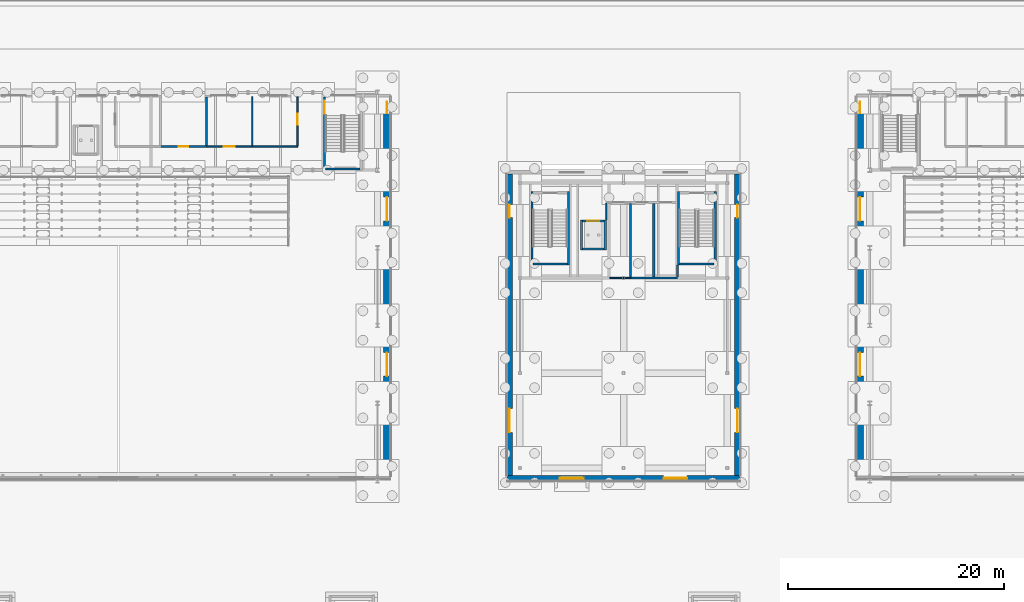
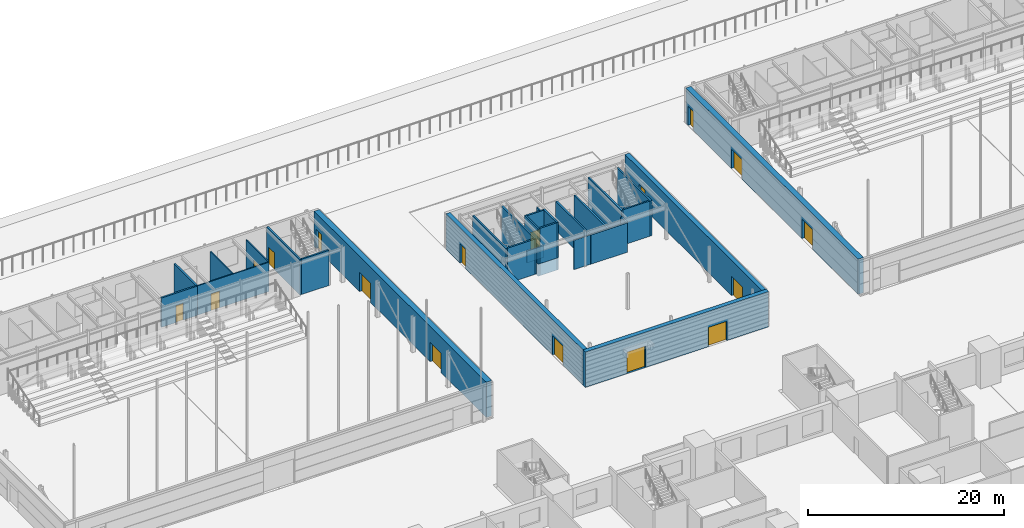
# One storey, part 86 of 139: 32 walls, 17 doors, 17 openings.
"""IFC4 building model written with IfcOpenShell, lengths in metres."""

from ifc_helpers import new_model, si_unit, direction, frame, frame_2d, origin, place, context, subcontext, project, spatial, rectangle, extrude, material, layer, layer_set, type_object, element, fill, save


model = new_model("IFC4")

# Units and contexts
model_context = context("Model", 3, precision=1e-05, world=origin(), true_north=direction((0.0, 1.0)))
body_context = subcontext(model_context, "Body", "Model", "MODEL_VIEW")
ifc_project = project(units=[si_unit("LENGTHUNIT", "METRE"), si_unit("AREAUNIT", "SQUARE_METRE"), si_unit("VOLUMEUNIT", "CUBIC_METRE"), si_unit("PLANEANGLEUNIT", "RADIAN"), si_unit("MASSUNIT", "GRAM", prefix="KILO")], contexts=[model_context])

# Site, building, storey
site_placement = place(None, origin())
site = spatial("IfcSite", under=ifc_project, at=site_placement, CompositionType="ELEMENT")
building_placement = place(site_placement, origin())
building = spatial("IfcBuilding", under=site, at=building_placement, Name="Verrick Yard Athletic Hall", CompositionType="ELEMENT")
storey_placement = place(building_placement, origin())
storey = spatial("IfcBuildingStorey", under=building, at=storey_placement, Name="L00", CompositionType="ELEMENT", Elevation=0.0)

# Walls
ifc_material_1 = material(Name="Concrete 35 MPa", Category="concrete")
ifc_layer_1 = layer(ifc_material_1, 0.199951171875)
ifc_layer_set_1 = layer_set([ifc_layer_1], Name="Enclosure wall CR200")
wall_type_1 = type_object("IfcWallType", Name="Enclosure wall CR200", PredefinedType="SOLIDWALL", material=ifc_layer_set_1)
for number, where, z_axis, x_axis, name in (
    (1, (103.89990234375, 92.0, 0.0), (0.0, 0.0, 1.0), (0.0, 1.0, 0.0), "CORE-CH-E-WW-L00"),
    (2, (107.300048828125, 92.0, 0.0), (0.0, 0.0, 1.0), (0.0, 1.0, 0.0), "CORE-CH-E-WE-L00"),
):
    element("IfcWall", number, at=place(storey_placement, frame(where, z_axis=z_axis, x_axis=x_axis)), inside=storey, type_object=wall_type_1, Name=name, PredefinedType="SOLIDWALL", context=body_context, shape_type="SweptSolid", body=[
        extrude(rectangle(XDim=6.800048828125, YDim=0.199951171875, at=frame_2d((3.39990234375, 0.0))), origin(), (0.0, 0.0, 1.0), 4.39990234375),
    ])
wall_1_placement = place(storey_placement, frame((104.0, 92.10009765625, 0.0), z_axis=(0.0, 0.0, 1.0), x_axis=(1.0, 0.0, 0.0)))
element("IfcWall", 3, at=wall_1_placement, inside=storey, type_object=wall_type_1, Name="CORE-CH-E-WS-L00", PredefinedType="SOLIDWALL", context=body_context, shape_type="SweptSolid", body=[
    extrude(rectangle(XDim=3.199951171875, YDim=0.199951171875, at=frame_2d((1.60009765625, 0.0))), origin(), (0.0, 0.0, 1.0), 4.39990234375),
])
for number, where, z_axis, x_axis, name in (
    (4, (90.300048828125, 92.0, 0.0), (0.0, 0.0, 1.0), (0.0, 1.0, 0.0), "CORE-CH-W-WW-L00"),
    (5, (93.699951171875, 92.0, 0.0), (0.0, 0.0, 1.0), (0.0, 1.0, 0.0), "CORE-CH-W-WE-L00"),
):
    element("IfcWall", number, at=place(storey_placement, frame(where, z_axis=z_axis, x_axis=x_axis)), inside=storey, type_object=wall_type_1, Name=name, PredefinedType="SOLIDWALL", context=body_context, shape_type="SweptSolid", body=[
        extrude(rectangle(XDim=6.800048828125, YDim=0.199951171875, at=frame_2d((3.39990234375, 0.0))), origin(), (0.0, 0.0, 1.0), 4.39990234375),
    ])
wall_2_placement = place(storey_placement, frame((90.39990234375, 92.10009765625, 0.0), z_axis=(0.0, 0.0, 1.0), x_axis=(1.0, 0.0, 0.0)))
element("IfcWall", 6, at=wall_2_placement, inside=storey, type_object=wall_type_1, Name="CORE-CH-W-WS-L00", PredefinedType="SOLIDWALL", context=body_context, shape_type="SweptSolid", body=[
    extrude(rectangle(XDim=3.2001953125, YDim=0.199951171875, at=frame_2d((1.60009765625, 0.0))), origin(), (0.0, 0.0, 1.0), 4.39990234375),
])

# Wall, opening, door
wall_3_placement = place(storey_placement, frame((71.10009765625, 100.800048828125, 0.0), z_axis=(0.0, 0.0, 1.0), x_axis=(0.0, 1.0, 0.0)))
wall_3 = element("IfcWall", 7, at=wall_3_placement, inside=storey, type_object=wall_type_1, Name="CORE-HB-E-WW-L00", PredefinedType="SOLIDWALL", context=body_context, shape_type="SweptSolid", body=[
    extrude(rectangle(XDim=6.782958984375, YDim=0.199951171875, at=frame_2d((3.3916015625, 0.0))), origin(), (0.0, 0.0, 1.0), 4.39990234375),
])
opening_1_placement = place(wall_3_placement, frame((5.22509765625, 0.0, 0.0)))
opening_1 = element("IfcOpeningElement", 8, at=opening_1_placement, cuts=wall_3, Name="Opening SD1", PredefinedType="OPENING", context=body_context, shape_type="SweptSolid", body=[
    extrude(rectangle(XDim=1.199951171875, YDim=2.10009765625, at=frame_2d((0.60009765625, 1.050048828125))), frame((0.0, 0.10986328125, 0.0), z_axis=(0.0, -1.0, 0.0), x_axis=(1.0, 0.0, 0.0)), (0.0, 0.0, 1.0), 0.219970703125),
])
ifc_material_2 = material(Name="Hollow metal door leaf")
door_type_1 = type_object("IfcDoorType", Name="Core door SD1 1200x2100", OperationType="NOTDEFINED", PredefinedType="DOOR", material=ifc_material_2)
door_1_placement = place(opening_1_placement, origin())
door_1 = element("IfcDoor", 9, at=door_1_placement, inside=storey, type_object=door_type_1, Name="CORE-HB-E-WW-L00-DSD1-10662", OperationType="SINGLE_SWING_RIGHT", OverallHeight=2.10009765625, OverallWidth=1.199951171875, PredefinedType="DOOR", context=body_context, shape_type="SweptSolid", body=[
    extrude(rectangle(XDim=1.199951171875, YDim=2.10009765625, at=frame_2d((0.60009765625, 1.050048828125))), frame((0.0, 0.02490234375, 0.0), z_axis=(0.0, -1.0, 0.0), x_axis=(1.0, 0.0, 0.0)), (0.0, 0.0, 1.0), 0.050048828125),
])
fill(opening_1, door_1)

# Walls
wall_4_placement = place(storey_placement, frame((71.199951171875, 100.89990234375, 0.0), z_axis=(0.0, 0.0, 1.0), x_axis=(1.0, 0.0, 0.0)))
element("IfcWall", 10, at=wall_4_placement, inside=storey, type_object=wall_type_1, Name="CORE-HB-E-WS-L00", PredefinedType="SOLIDWALL", context=body_context, shape_type="SweptSolid", body=[
    extrude(rectangle(XDim=3.199951171875, YDim=0.199951171875, at=frame_2d((1.60009765625, 0.0))), origin(), (0.0, 0.0, 1.0), 4.39990234375),
])
for number, where, z_axis, x_axis, name in (
    (11, (94.89990234375, 93.39990234375, -1.5), (0.0, 0.0, 1.0), (0.0, 1.0, 0.0), "CORE-LF-CH-PWW"),
    (12, (97.10009765625, 93.39990234375, -1.5), (0.0, 0.0, 1.0), (0.0, 1.0, 0.0), "CORE-LF-CH-PWE"),
):
    element("IfcWall", number, at=place(storey_placement, frame(where, z_axis=z_axis, x_axis=x_axis)), inside=storey, type_object=wall_type_1, Name=name, PredefinedType="SOLIDWALL", context=body_context, shape_type="SweptSolid", body=[
        extrude(rectangle(XDim=2.800048828125, YDim=0.199951171875, at=frame_2d((1.39990234375, 0.0))), origin(), (0.0, 0.0, 1.0), 1.5),
    ])
for number, where, z_axis, x_axis, name in (
    (13, (95.0, 93.5, -1.5), (0.0, 0.0, 1.0), (1.0, 0.0, 0.0), "CORE-LF-CH-PWS"),
    (14, (95.0, 96.10009765625, -1.5), (0.0, 0.0, 1.0), (1.0, 0.0, 0.0), "CORE-LF-CH-PWN"),
):
    element("IfcWall", number, at=place(storey_placement, frame(where, z_axis=z_axis, x_axis=x_axis)), inside=storey, type_object=wall_type_1, Name=name, PredefinedType="SOLIDWALL", context=body_context, shape_type="SweptSolid", body=[
        extrude(rectangle(XDim=2.0, YDim=0.199951171875, at=frame_2d((1.0, 0.0))), origin(), (0.0, 0.0, 1.0), 1.5),
    ])
for number, where, z_axis, x_axis, name in (
    (15, (94.89990234375, 93.39990234375, 0.0), (0.0, 0.0, 1.0), (0.0, 1.0, 0.0), "CORE-LF-CH-WW-L00"),
    (16, (97.10009765625, 93.39990234375, 0.0), (0.0, 0.0, 1.0), (0.0, 1.0, 0.0), "CORE-LF-CH-WE-L00"),
):
    element("IfcWall", number, at=place(storey_placement, frame(where, z_axis=z_axis, x_axis=x_axis)), inside=storey, type_object=wall_type_1, Name=name, PredefinedType="SOLIDWALL", context=body_context, shape_type="SweptSolid", body=[
        extrude(rectangle(XDim=2.800048828125, YDim=0.199951171875, at=frame_2d((1.39990234375, 0.0))), origin(), (0.0, 0.0, 1.0), 4.39990234375),
    ])
wall_5_placement = place(storey_placement, frame((95.0, 93.5, 0.0), z_axis=(0.0, 0.0, 1.0), x_axis=(1.0, 0.0, 0.0)))
element("IfcWall", 17, at=wall_5_placement, inside=storey, type_object=wall_type_1, Name="CORE-LF-CH-WS-L00", PredefinedType="SOLIDWALL", context=body_context, shape_type="SweptSolid", body=[
    extrude(rectangle(XDim=2.0, YDim=0.199951171875, at=frame_2d((1.0, 0.0))), origin(), (0.0, 0.0, 1.0), 4.39990234375),
])

# Wall, opening, door
wall_6_placement = place(storey_placement, frame((95.0, 96.10009765625, 0.0), z_axis=(0.0, 0.0, 1.0), x_axis=(1.0, 0.0, 0.0)))
wall_6 = element("IfcWall", 18, at=wall_6_placement, inside=storey, type_object=wall_type_1, Name="CORE-LF-CH-WN-L00", PredefinedType="SOLIDWALL", context=body_context, shape_type="SweptSolid", body=[
    extrude(rectangle(XDim=2.0, YDim=0.199951171875, at=frame_2d((1.0, 0.0))), origin(), (0.0, 0.0, 1.0), 4.39990234375),
])
opening_2_placement = place(wall_6_placement, frame((0.449951171875, 0.0, 0.0)))
opening_2 = element("IfcOpeningElement", 19, at=opening_2_placement, cuts=wall_6, Name="Opening LD", PredefinedType="OPENING", context=body_context, shape_type="SweptSolid", body=[
    extrude(rectangle(XDim=1.10009765625, YDim=2.10009765625, at=frame_2d((0.550048828125, 1.050048828125))), frame((0.0, 0.10986328125, 0.0), z_axis=(0.0, -1.0, 0.0), x_axis=(1.0, 0.0, 0.0)), (0.0, 0.0, 1.0), 0.219970703125),
])
ifc_material_3 = material(Name="Stainless steel landing door", Category="steel")
door_type_2 = type_object("IfcDoorType", Name="Lift landing door LD 1100x2100", OperationType="NOTDEFINED", PredefinedType="DOOR", material=ifc_material_3)
door_2_placement = place(opening_2_placement, origin())
door_2 = element("IfcDoor", 20, at=door_2_placement, inside=storey, type_object=door_type_2, Name="Lift landing door", OperationType="SLIDING_TO_LEFT", OverallHeight=2.10009765625, OverallWidth=1.10009765625, PredefinedType="DOOR", context=body_context, shape_type="SweptSolid", body=[
    extrude(rectangle(XDim=1.10009765625, YDim=2.10009765625, at=frame_2d((0.550048828125, 1.050048828125))), frame((0.0, 0.02490234375, 0.0), z_axis=(0.0, -1.0, 0.0), x_axis=(1.0, 0.0, 0.0)), (0.0, 0.0, 1.0), 0.050048828125),
])
fill(opening_2, door_2)

# Wall, openings, doors
ifc_material_4 = material(Name="Tyndall-stone-look precast cladding", Category="masonry")
ifc_layer_2 = layer(ifc_material_4, 0.125, Name="Tyndall-stone-look precast cladding")
ifc_material_5 = material(Name="Mineral wool insulation")
ifc_layer_3 = layer(ifc_material_5, 0.25, Name="Mineral wool insulation")
ifc_layer_4 = layer(ifc_material_1, 0.25, Name="Concrete 35 MPa")
ifc_layer_set_2 = layer_set([ifc_layer_2, ifc_layer_3, ifc_layer_4], Name="Hall base wall")
wall_type_2 = type_object("IfcWallType", Name="Hall base wall", PredefinedType="SOLIDWALL", material=ifc_layer_set_2)
wall_7_placement = place(storey_placement, frame((120.71240234375, 72.41845703125, 0.0), z_axis=(0.0, 0.0, 1.0), x_axis=(0.0, 1.0, 0.0)))
wall_7 = element("IfcWall", 21, at=wall_7_placement, inside=storey, type_object=wall_type_2, Name="ENVB-HA-W-L00", PredefinedType="SOLIDWALL", context=body_context, shape_type="SweptSolid", body=[
    extrude(rectangle(XDim=35.1630859375, YDim=0.625, at=frame_2d((17.58154296875, 0.0))), origin(), (0.0, 0.0, 1.0), 4.39990234375),
])
opening_3_placement = place(wall_7_placement, frame((9.282470703125, 0.0, 0.0)))
opening_3 = element("IfcOpeningElement", 22, at=opening_3_placement, cuts=wall_7, Name="Opening ED23", PredefinedType="OPENING", context=body_context, shape_type="SweptSolid", body=[
    extrude(rectangle(XDim=2.199951171875, YDim=2.39990234375, at=frame_2d((1.10009765625, 1.199951171875))), frame((0.0, 0.322509765625, 0.0), z_axis=(0.0, -1.0, 0.0), x_axis=(1.0, 0.0, 0.0)), (0.0, 0.0, 1.0), 0.64501953125),
])
opening_4_placement = place(wall_7_placement, frame((23.6826171875, 0.0, 0.0)))
opening_4 = element("IfcOpeningElement", 23, at=opening_4_placement, cuts=wall_7, Name="Opening ED23", PredefinedType="OPENING", context=body_context, shape_type="SweptSolid", body=[
    extrude(rectangle(XDim=2.199951171875, YDim=2.39990234375, at=frame_2d((1.10009765625, 1.199951171875))), frame((0.0, 0.322509765625, 0.0), z_axis=(0.0, -1.0, 0.0), x_axis=(1.0, 0.0, 0.0)), (0.0, 0.0, 1.0), 0.64501953125),
])
opening_5_placement = place(wall_7_placement, frame((33.632568359375, 0.0, 0.0)))
opening_5 = element("IfcOpeningElement", 24, at=opening_5_placement, cuts=wall_7, Name="Opening ED22", PredefinedType="OPENING", context=body_context, shape_type="SweptSolid", body=[
    extrude(rectangle(XDim=1.10009765625, YDim=2.39990234375, at=frame_2d((0.550048828125, 1.199951171875))), frame((0.0, 0.322509765625, 0.0), z_axis=(0.0, -1.0, 0.0), x_axis=(1.0, 0.0, 0.0)), (0.0, 0.0, 1.0), 0.64501953125),
])
ifc_material_6 = material(Name="Powder-coated aluminium door leaf", Category="aluminium")
door_type_3 = type_object("IfcDoorType", Name="Exterior double door 2200", OperationType="NOTDEFINED", PredefinedType="DOOR", material=ifc_material_6)
door_3_placement = place(opening_3_placement, origin())
door_3 = element("IfcDoor", 25, at=door_3_placement, inside=storey, type_object=door_type_3, Name="Hall exit door AW1", OperationType="DOUBLE_DOOR_SINGLE_SWING", OverallHeight=2.39990234375, OverallWidth=2.199951171875, PredefinedType="DOOR", context=body_context, shape_type="SweptSolid", body=[
    extrude(rectangle(XDim=2.199951171875, YDim=2.39990234375, at=frame_2d((1.10009765625, 1.199951171875))), frame((0.0, 0.02490234375, 0.0), z_axis=(0.0, -1.0, 0.0), x_axis=(1.0, 0.0, 0.0)), (0.0, 0.0, 1.0), 0.050048828125),
])
fill(opening_3, door_3)
door_4_placement = place(opening_4_placement, origin())
door_4 = element("IfcDoor", 26, at=door_4_placement, inside=storey, type_object=door_type_3, Name="Hall exit door AW2", OperationType="DOUBLE_DOOR_SINGLE_SWING", OverallHeight=2.39990234375, OverallWidth=2.199951171875, PredefinedType="DOOR", context=body_context, shape_type="SweptSolid", body=[
    extrude(rectangle(XDim=2.199951171875, YDim=2.39990234375, at=frame_2d((1.10009765625, 1.199951171875))), frame((0.0, 0.02490234375, 0.0), z_axis=(0.0, -1.0, 0.0), x_axis=(1.0, 0.0, 0.0)), (0.0, 0.0, 1.0), 0.050048828125),
])
fill(opening_4, door_4)
door_type_4 = type_object("IfcDoorType", Name="Exterior single door 1100", OperationType="NOTDEFINED", PredefinedType="DOOR", material=ifc_material_6)
door_5_placement = place(opening_5_placement, origin())
door_5 = element("IfcDoor", 27, at=door_5_placement, inside=storey, type_object=door_type_4, Name="Band stair exit door AW", OperationType="SINGLE_SWING_LEFT", OverallHeight=2.39990234375, OverallWidth=1.10009765625, PredefinedType="DOOR", context=body_context, shape_type="SweptSolid", body=[
    extrude(rectangle(XDim=1.10009765625, YDim=2.39990234375, at=frame_2d((0.550048828125, 1.199951171875))), frame((0.0, 0.02490234375, 0.0), z_axis=(0.0, -1.0, 0.0), x_axis=(1.0, 0.0, 0.0)), (0.0, 0.0, 1.0), 0.050048828125),
])
fill(opening_5, door_5)

wall_8_placement = place(storey_placement, frame((76.887451171875, 72.41845703125, 0.0), z_axis=(0.0, 0.0, 1.0), x_axis=(0.0, 1.0, 0.0)))
wall_8 = element("IfcWall", 28, at=wall_8_placement, inside=storey, type_object=wall_type_2, Name="ENVB-HB-E-L00", PredefinedType="SOLIDWALL", context=body_context, shape_type="SweptSolid", body=[
    extrude(rectangle(XDim=35.1630859375, YDim=0.625, at=frame_2d((17.58154296875, 0.0))), origin(), (0.0, 0.0, 1.0), 4.39990234375),
])
opening_6_placement = place(wall_8_placement, frame((9.282470703125, 0.0, 0.0)))
opening_6 = element("IfcOpeningElement", 29, at=opening_6_placement, cuts=wall_8, Name="Opening ED23", PredefinedType="OPENING", context=body_context, shape_type="SweptSolid", body=[
    extrude(rectangle(XDim=2.199951171875, YDim=2.39990234375, at=frame_2d((1.10009765625, 1.199951171875))), frame((0.0, 0.322509765625, 0.0), z_axis=(0.0, -1.0, 0.0), x_axis=(1.0, 0.0, 0.0)), (0.0, 0.0, 1.0), 0.64501953125),
])
opening_7_placement = place(wall_8_placement, frame((23.6826171875, 0.0, 0.0)))
opening_7 = element("IfcOpeningElement", 30, at=opening_7_placement, cuts=wall_8, Name="Opening ED23", PredefinedType="OPENING", context=body_context, shape_type="SweptSolid", body=[
    extrude(rectangle(XDim=2.199951171875, YDim=2.39990234375, at=frame_2d((1.10009765625, 1.199951171875))), frame((0.0, 0.322509765625, 0.0), z_axis=(0.0, -1.0, 0.0), x_axis=(1.0, 0.0, 0.0)), (0.0, 0.0, 1.0), 0.64501953125),
])
opening_8_placement = place(wall_8_placement, frame((33.632568359375, 0.0, 0.0)))
opening_8 = element("IfcOpeningElement", 31, at=opening_8_placement, cuts=wall_8, Name="Opening ED22", PredefinedType="OPENING", context=body_context, shape_type="SweptSolid", body=[
    extrude(rectangle(XDim=1.10009765625, YDim=2.39990234375, at=frame_2d((0.550048828125, 1.199951171875))), frame((0.0, 0.322509765625, 0.0), z_axis=(0.0, -1.0, 0.0), x_axis=(1.0, 0.0, 0.0)), (0.0, 0.0, 1.0), 0.64501953125),
])
door_6_placement = place(opening_6_placement, origin())
door_6 = element("IfcDoor", 32, at=door_6_placement, inside=storey, type_object=door_type_3, Name="Hall exit door BE1", OperationType="DOUBLE_DOOR_SINGLE_SWING", OverallHeight=2.39990234375, OverallWidth=2.199951171875, PredefinedType="DOOR", context=body_context, shape_type="SweptSolid", body=[
    extrude(rectangle(XDim=2.199951171875, YDim=2.39990234375, at=frame_2d((1.10009765625, 1.199951171875))), frame((0.0, 0.02490234375, 0.0), z_axis=(0.0, -1.0, 0.0), x_axis=(1.0, 0.0, 0.0)), (0.0, 0.0, 1.0), 0.050048828125),
])
fill(opening_6, door_6)
door_7_placement = place(opening_7_placement, origin())
door_7 = element("IfcDoor", 33, at=door_7_placement, inside=storey, type_object=door_type_3, Name="Hall exit door BE2", OperationType="DOUBLE_DOOR_SINGLE_SWING", OverallHeight=2.39990234375, OverallWidth=2.199951171875, PredefinedType="DOOR", context=body_context, shape_type="SweptSolid", body=[
    extrude(rectangle(XDim=2.199951171875, YDim=2.39990234375, at=frame_2d((1.10009765625, 1.199951171875))), frame((0.0, 0.02490234375, 0.0), z_axis=(0.0, -1.0, 0.0), x_axis=(1.0, 0.0, 0.0)), (0.0, 0.0, 1.0), 0.050048828125),
])
fill(opening_7, door_7)
door_8_placement = place(opening_8_placement, origin())
door_8 = element("IfcDoor", 34, at=door_8_placement, inside=storey, type_object=door_type_4, Name="Band stair exit door BE", OperationType="SINGLE_SWING_RIGHT", OverallHeight=2.39990234375, OverallWidth=1.10009765625, PredefinedType="DOOR", context=body_context, shape_type="SweptSolid", body=[
    extrude(rectangle(XDim=1.10009765625, YDim=2.39990234375, at=frame_2d((0.550048828125, 1.199951171875))), frame((0.0, 0.02490234375, 0.0), z_axis=(0.0, -1.0, 0.0), x_axis=(1.0, 0.0, 0.0)), (0.0, 0.0, 1.0), 0.050048828125),
])
fill(opening_8, door_8)

# Wall
ifc_material_7 = material(Name="Concrete masonry block 15 MPa", Category="masonry")
ifc_layer_5 = layer(ifc_material_7, 0.199951171875)
ifc_layer_set_3 = layer_set([ifc_layer_5], Name="PW1 Block partition 200")
wall_type_3 = type_object("IfcWallType", Name="PW1 Block partition 200", PredefinedType="PARTITIONING", material=ifc_layer_set_3)
wall_9_placement = place(storey_placement, frame((99.449951171875, 90.800048828125, 0.0), z_axis=(0.0, 0.0, 1.0), x_axis=(1.0, 0.0, 0.0)))
element("IfcWall", 35, at=wall_9_placement, inside=storey, type_object=wall_type_3, Name="Partition PW1", PredefinedType="PARTITIONING", context=body_context, shape_type="SweptSolid", body=[
    extrude(rectangle(XDim=4.35009765625, YDim=0.199951171875, at=frame_2d((2.175048828125, 0.0))), origin(), (0.0, 0.0, 1.0), 3.64990234375),
])

# Wall, opening, door
wall_10_placement = place(storey_placement, frame((55.89990234375, 103.0, 0.0), z_axis=(0.0, 0.0, 1.0), x_axis=(1.0, 0.0, 0.0)))
wall_10 = element("IfcWall", 36, at=wall_10_placement, inside=storey, type_object=wall_type_3, Name="Partition PW1", PredefinedType="PARTITIONING", context=body_context, shape_type="SweptSolid", body=[
    extrude(rectangle(XDim=4.25, YDim=0.199951171875, at=frame_2d((2.125, 0.0))), origin(), (0.0, 0.0, 1.0), 3.64990234375),
])
opening_9_placement = place(wall_10_placement, frame((1.675048828125, 0.0, 0.0)))
opening_9 = element("IfcOpeningElement", 37, at=opening_9_placement, cuts=wall_10, Name="Opening D2", PredefinedType="OPENING", context=body_context, shape_type="SweptSolid", body=[
    extrude(rectangle(XDim=0.89990234375, YDim=2.10009765625, at=frame_2d((0.449951171875, 1.050048828125))), frame((0.0, 0.10986328125, 0.0), z_axis=(0.0, -1.0, 0.0), x_axis=(1.0, 0.0, 0.0)), (0.0, 0.0, 1.0), 0.219970703125),
])
ifc_material_8 = material(Name="Timber door leaf in steel frame", Category="steel")
door_type_5 = type_object("IfcDoorType", Name="D2 Single door 900 x 2100", OperationType="NOTDEFINED", PredefinedType="DOOR", material=ifc_material_8)
door_9_placement = place(opening_9_placement, origin())
door_9 = element("IfcDoor", 38, at=door_9_placement, inside=storey, type_object=door_type_5, Name="D2 Equipment Store B", OperationType="SINGLE_SWING_LEFT", OverallHeight=2.10009765625, OverallWidth=0.89990234375, PredefinedType="DOOR", context=body_context, shape_type="SweptSolid", body=[
    extrude(rectangle(XDim=0.89990234375, YDim=2.10009765625, at=frame_2d((0.449951171875, 1.050048828125))), frame((0.0, 0.02490234375, 0.0), z_axis=(0.0, -1.0, 0.0), x_axis=(1.0, 0.0, 0.0)), (0.0, 0.0, 1.0), 0.050048828125),
])
fill(opening_9, door_9)

# Walls
wall_11_placement = place(storey_placement, frame((60.14990234375, 103.10009765625, 0.0), z_axis=(0.0, 0.0, 1.0), x_axis=(0.0, 1.0, 0.0)))
element("IfcWall", 39, at=wall_11_placement, inside=storey, type_object=wall_type_3, Name="Partition PW1", PredefinedType="PARTITIONING", context=body_context, shape_type="SweptSolid", body=[
    extrude(rectangle(XDim=4.491455078125, YDim=0.199951171875, at=frame_2d((2.24560546875, 0.0))), origin(), (0.0, 0.0, 1.0), 3.64990234375),
])
for number, where, z_axis, x_axis, name in (
    (40, (99.449951171875, 90.89990234375, 0.0), (0.0, 0.0, 1.0), (0.0, 1.0, 0.0), "Partition PW1"),
    (41, (101.60009765625, 90.89990234375, 0.0), (0.0, 0.0, 1.0), (0.0, 1.0, 0.0), "Partition PW1"),
):
    element("IfcWall", number, at=place(storey_placement, frame(where, z_axis=z_axis, x_axis=x_axis)), inside=storey, type_object=wall_type_3, Name=name, PredefinedType="PARTITIONING", context=body_context, shape_type="SweptSolid", body=[
        extrude(rectangle(XDim=6.800048828125, YDim=0.199951171875, at=frame_2d((3.39990234375, 0.0))), origin(), (0.0, 0.0, 1.0), 3.64990234375),
    ])
wall_12_placement = place(storey_placement, frame((103.800048828125, 90.89990234375, 0.0), z_axis=(0.0, 0.0, 1.0), x_axis=(0.0, 1.0, 0.0)))
element("IfcWall", 42, at=wall_12_placement, inside=storey, type_object=wall_type_3, Name="Partition PW1", PredefinedType="PARTITIONING", context=body_context, shape_type="SweptSolid", body=[
    extrude(rectangle(XDim=1.090087890625, YDim=0.199951171875, at=frame_2d((0.544921875, 0.0))), origin(), (0.0, 0.0, 1.0), 3.64990234375),
])
ifc_material_9 = material(Name="Gypsum plasterboard on light-gauge studs")
ifc_layer_6 = layer(ifc_material_9, 0.125)
ifc_layer_set_4 = layer_set([ifc_layer_6], Name="PW2 Stud partition 125")
wall_type_4 = type_object("IfcWallType", Name="PW2 Stud partition 125", PredefinedType="PARTITIONING", material=ifc_layer_set_4)
wall_13_placement = place(storey_placement, frame((97.5, 90.800048828125, 0.0), z_axis=(0.0, 0.0, 1.0), x_axis=(1.0, 0.0, 0.0)))
element("IfcWall", 43, at=wall_13_placement, inside=storey, type_object=wall_type_4, Name="Partition PW2", PredefinedType="PARTITIONING", context=body_context, shape_type="SweptSolid", body=[
    extrude(rectangle(XDim=1.949951171875, YDim=0.125, at=frame_2d((0.97509765625, 0.0))), origin(), (0.0, 0.0, 1.0), 3.64990234375),
])

# Wall, opening, door
wall_14_placement = place(storey_placement, frame((60.14990234375, 103.0, 0.0), z_axis=(0.0, 0.0, 1.0), x_axis=(1.0, 0.0, 0.0)))
wall_14 = element("IfcWall", 44, at=wall_14_placement, inside=storey, type_object=wall_type_4, Name="Partition PW2", PredefinedType="PARTITIONING", context=body_context, shape_type="SweptSolid", body=[
    extrude(rectangle(XDim=8.4501953125, YDim=0.125, at=frame_2d((4.22509765625, 0.0))), origin(), (0.0, 0.0, 1.0), 3.64990234375),
])
opening_10_placement = place(wall_14_placement, frame((1.625, 0.0, 0.0)))
opening_10 = element("IfcOpeningElement", 45, at=opening_10_placement, cuts=wall_14, Name="Opening D1", PredefinedType="OPENING", context=body_context, shape_type="SweptSolid", body=[
    extrude(rectangle(XDim=1.0, YDim=2.10009765625, at=frame_2d((0.5, 1.050048828125))), frame((0.0, 0.072509765625, 0.0), z_axis=(0.0, -1.0, 0.0), x_axis=(1.0, 0.0, 0.0)), (0.0, 0.0, 1.0), 0.14501953125),
])
door_type_6 = type_object("IfcDoorType", Name="D1 Single door 1000 x 2100", OperationType="NOTDEFINED", PredefinedType="DOOR", material=ifc_material_8)
door_10_placement = place(opening_10_placement, origin())
door_10 = element("IfcDoor", 46, at=door_10_placement, inside=storey, type_object=door_type_6, Name="D1 Team Officials Room B", OperationType="SINGLE_SWING_RIGHT", OverallHeight=2.10009765625, OverallWidth=1.0, PredefinedType="DOOR", context=body_context, shape_type="SweptSolid", body=[
    extrude(rectangle(XDim=1.0, YDim=2.10009765625, at=frame_2d((0.5, 1.050048828125))), frame((0.0, 0.02490234375, 0.0), z_axis=(0.0, -1.0, 0.0), x_axis=(1.0, 0.0, 0.0)), (0.0, 0.0, 1.0), 0.050048828125),
])
fill(opening_10, door_10)

# Wall
wall_15_placement = place(storey_placement, frame((64.39990234375, 103.0625, 0.0), z_axis=(0.0, 0.0, 1.0), x_axis=(0.0, 1.0, 0.0)))
element("IfcWall", 47, at=wall_15_placement, inside=storey, type_object=wall_type_4, Name="Partition PW2", PredefinedType="PARTITIONING", context=body_context, shape_type="SweptSolid", body=[
    extrude(rectangle(XDim=4.529052734375, YDim=0.125, at=frame_2d((2.2646484375, 0.0))), origin(), (0.0, 0.0, 1.0), 3.64990234375),
])

# Wall, opening, door
wall_16_placement = place(storey_placement, frame((68.60009765625, 103.0625, 0.0), z_axis=(0.0, 0.0, 1.0), x_axis=(0.0, 1.0, 0.0)))
wall_16 = element("IfcWall", 48, at=wall_16_placement, inside=storey, type_object=wall_type_4, Name="Partition PW2", PredefinedType="PARTITIONING", context=body_context, shape_type="SweptSolid", body=[
    extrude(rectangle(XDim=4.529052734375, YDim=0.125, at=frame_2d((2.2646484375, 0.0))), origin(), (0.0, 0.0, 1.0), 3.64990234375),
])
opening_11_placement = place(wall_16_placement, frame((1.93798828125, 0.0, 0.0)))
opening_11 = element("IfcOpeningElement", 49, at=opening_11_placement, cuts=wall_16, Name="Opening D1", PredefinedType="OPENING", context=body_context, shape_type="SweptSolid", body=[
    extrude(rectangle(XDim=1.0, YDim=2.10009765625, at=frame_2d((0.5, 1.050048828125))), frame((0.0, 0.072509765625, 0.0), z_axis=(0.0, -1.0, 0.0), x_axis=(1.0, 0.0, 0.0)), (0.0, 0.0, 1.0), 0.14501953125),
])
door_11_placement = place(opening_11_placement, origin())
door_11 = element("IfcDoor", 50, at=door_11_placement, inside=storey, type_object=door_type_6, Name="D1 Scorers Room B", OperationType="SINGLE_SWING_LEFT", OverallHeight=2.10009765625, OverallWidth=1.0, PredefinedType="DOOR", context=body_context, shape_type="SweptSolid", body=[
    extrude(rectangle(XDim=1.0, YDim=2.10009765625, at=frame_2d((0.5, 1.050048828125))), frame((0.0, 0.02490234375, 0.0), z_axis=(0.0, -1.0, 0.0), x_axis=(1.0, 0.0, 0.0)), (0.0, 0.0, 1.0), 0.050048828125),
])
fill(opening_11, door_11)

# Wall
wall_17_placement = place(storey_placement, frame((97.199951171875, 96.199951171875, 0.0), z_axis=(0.0, 0.0, 1.0), x_axis=(0.0, 1.0, 0.0)))
element("IfcWall", 51, at=wall_17_placement, inside=storey, type_object=wall_type_4, Name="Partition PW2", PredefinedType="PARTITIONING", context=body_context, shape_type="SweptSolid", body=[
    extrude(rectangle(XDim=1.53759765625, YDim=0.125, at=frame_2d((0.768798828125, 0.0))), origin(), (0.0, 0.0, 1.0), 3.64990234375),
])

# Wall, openings, doors
ifc_layer_7 = layer(ifc_material_4, 0.125, Name="Tyndall-stone-look precast cladding")
ifc_layer_8 = layer(ifc_material_5, 0.125, Name="Mineral wool insulation")
ifc_layer_9 = layer(ifc_material_1, 0.25, Name="Concrete 35 MPa")
ifc_layer_set_5 = layer_set([ifc_layer_7, ifc_layer_8, ifc_layer_9], Name="Pavilion wall")
wall_type_5 = type_object("IfcWallType", Name="Pavilion wall", PredefinedType="SOLIDWALL", material=ifc_layer_set_5)
wall_18_placement = place(storey_placement, frame((88.25, 72.5, 0.0), z_axis=(0.0, 0.0, 1.0), x_axis=(0.0, 1.0, 0.0)))
wall_18 = element("IfcWall", 52, at=wall_18_placement, inside=storey, type_object=wall_type_5, Name="ENVB-CL-W-L00", PredefinedType="SOLIDWALL", context=body_context, shape_type="SweptSolid", body=[
    extrude(rectangle(XDim=27.949951171875, YDim=0.5, at=frame_2d((13.97509765625, 0.0))), origin(), (0.0, 0.0, 1.0), 4.39990234375),
])
opening_12_placement = place(wall_18_placement, frame((4.0, 0.0, 0.0)))
opening_12 = element("IfcOpeningElement", 53, at=opening_12_placement, cuts=wall_18, Name="Opening ED23", PredefinedType="OPENING", context=body_context, shape_type="SweptSolid", body=[
    extrude(rectangle(XDim=2.199951171875, YDim=2.39990234375, at=frame_2d((1.10009765625, 1.199951171875))), frame((0.0, 0.260009765625, 0.0), z_axis=(0.0, -1.0, 0.0), x_axis=(1.0, 0.0, 0.0)), (0.0, 0.0, 1.0), 0.52001953125),
])
opening_13_placement = place(wall_18_placement, frame((23.89990234375, 0.0, 0.0)))
opening_13 = element("IfcOpeningElement", 54, at=opening_13_placement, cuts=wall_18, Name="Opening ED27", PredefinedType="OPENING", context=body_context, shape_type="SweptSolid", body=[
    extrude(rectangle(XDim=1.199951171875, YDim=2.39990234375, at=frame_2d((0.60009765625, 1.199951171875))), frame((0.0, 0.260009765625, 0.0), z_axis=(0.0, -1.0, 0.0), x_axis=(1.0, 0.0, 0.0)), (0.0, 0.0, 1.0), 0.52001953125),
])
door_12_placement = place(opening_12_placement, origin())
door_12 = element("IfcDoor", 55, at=door_12_placement, inside=storey, type_object=door_type_3, Name="Climbing hall exit door W1", OperationType="DOUBLE_DOOR_SINGLE_SWING", OverallHeight=2.39990234375, OverallWidth=2.199951171875, PredefinedType="DOOR", context=body_context, shape_type="SweptSolid", body=[
    extrude(rectangle(XDim=2.199951171875, YDim=2.39990234375, at=frame_2d((1.10009765625, 1.199951171875))), frame((0.0, 0.02490234375, 0.0), z_axis=(0.0, -1.0, 0.0), x_axis=(1.0, 0.0, 0.0)), (0.0, 0.0, 1.0), 0.050048828125),
])
fill(opening_12, door_12)
door_type_7 = type_object("IfcDoorType", Name="Exterior wide single door 1200", OperationType="NOTDEFINED", PredefinedType="DOOR", material=ifc_material_6)
door_13_placement = place(opening_13_placement, origin())
door_13 = element("IfcDoor", 56, at=door_13_placement, inside=storey, type_object=door_type_7, Name="Climbing stair exit door W", OperationType="SINGLE_SWING_LEFT", OverallHeight=2.39990234375, OverallWidth=1.199951171875, PredefinedType="DOOR", context=body_context, shape_type="SweptSolid", body=[
    extrude(rectangle(XDim=1.199951171875, YDim=2.39990234375, at=frame_2d((0.60009765625, 1.199951171875))), frame((0.0, 0.02490234375, 0.0), z_axis=(0.0, -1.0, 0.0), x_axis=(1.0, 0.0, 0.0)), (0.0, 0.0, 1.0), 0.050048828125),
])
fill(opening_13, door_13)

wall_19_placement = place(storey_placement, frame((109.35009765625, 72.5, 0.0), z_axis=(0.0, 0.0, 1.0), x_axis=(0.0, 1.0, 0.0)))
wall_19 = element("IfcWall", 57, at=wall_19_placement, inside=storey, type_object=wall_type_5, Name="ENVB-CL-E-L00", PredefinedType="SOLIDWALL", context=body_context, shape_type="SweptSolid", body=[
    extrude(rectangle(XDim=27.949951171875, YDim=0.5, at=frame_2d((13.97509765625, 0.0))), origin(), (0.0, 0.0, 1.0), 4.39990234375),
])
opening_14_placement = place(wall_19_placement, frame((4.0, 0.0, 0.0)))
opening_14 = element("IfcOpeningElement", 58, at=opening_14_placement, cuts=wall_19, Name="Opening ED23", PredefinedType="OPENING", context=body_context, shape_type="SweptSolid", body=[
    extrude(rectangle(XDim=2.199951171875, YDim=2.39990234375, at=frame_2d((1.10009765625, 1.199951171875))), frame((0.0, 0.260009765625, 0.0), z_axis=(0.0, -1.0, 0.0), x_axis=(1.0, 0.0, 0.0)), (0.0, 0.0, 1.0), 0.52001953125),
])
opening_15_placement = place(wall_19_placement, frame((23.89990234375, 0.0, 0.0)))
opening_15 = element("IfcOpeningElement", 59, at=opening_15_placement, cuts=wall_19, Name="Opening ED27", PredefinedType="OPENING", context=body_context, shape_type="SweptSolid", body=[
    extrude(rectangle(XDim=1.199951171875, YDim=2.39990234375, at=frame_2d((0.60009765625, 1.199951171875))), frame((0.0, 0.260009765625, 0.0), z_axis=(0.0, -1.0, 0.0), x_axis=(1.0, 0.0, 0.0)), (0.0, 0.0, 1.0), 0.52001953125),
])
door_14_placement = place(opening_14_placement, origin())
door_14 = element("IfcDoor", 60, at=door_14_placement, inside=storey, type_object=door_type_3, Name="Climbing hall exit door E1", OperationType="DOUBLE_DOOR_SINGLE_SWING", OverallHeight=2.39990234375, OverallWidth=2.199951171875, PredefinedType="DOOR", context=body_context, shape_type="SweptSolid", body=[
    extrude(rectangle(XDim=2.199951171875, YDim=2.39990234375, at=frame_2d((1.10009765625, 1.199951171875))), frame((0.0, 0.02490234375, 0.0), z_axis=(0.0, -1.0, 0.0), x_axis=(1.0, 0.0, 0.0)), (0.0, 0.0, 1.0), 0.050048828125),
])
fill(opening_14, door_14)
door_15_placement = place(opening_15_placement, origin())
door_15 = element("IfcDoor", 61, at=door_15_placement, inside=storey, type_object=door_type_7, Name="Climbing stair exit door E", OperationType="SINGLE_SWING_RIGHT", OverallHeight=2.39990234375, OverallWidth=1.199951171875, PredefinedType="DOOR", context=body_context, shape_type="SweptSolid", body=[
    extrude(rectangle(XDim=1.199951171875, YDim=2.39990234375, at=frame_2d((0.60009765625, 1.199951171875))), frame((0.0, 0.02490234375, 0.0), z_axis=(0.0, -1.0, 0.0), x_axis=(1.0, 0.0, 0.0)), (0.0, 0.0, 1.0), 0.050048828125),
])
fill(opening_15, door_15)

wall_20_placement = place(storey_placement, frame((88.0, 72.25, 0.0), z_axis=(0.0, 0.0, 1.0), x_axis=(1.0, 0.0, 0.0)))
wall_20 = element("IfcWall", 62, at=wall_20_placement, inside=storey, type_object=wall_type_5, Name="ENVB-CL-S-L00", PredefinedType="SOLIDWALL", context=body_context, shape_type="SweptSolid", body=[
    extrude(rectangle(XDim=21.60009765625, YDim=0.5, at=frame_2d((10.800048828125, 0.0))), origin(), (0.0, 0.0, 1.0), 4.39990234375),
])
opening_16_placement = place(wall_20_placement, frame((4.89990234375, 0.0, 0.0)))
opening_16 = element("IfcOpeningElement", 63, at=opening_16_placement, cuts=wall_20, Name="Opening ED24", PredefinedType="OPENING", context=body_context, shape_type="SweptSolid", body=[
    extrude(rectangle(XDim=2.199951171875, YDim=2.699951171875, at=frame_2d((1.10009765625, 1.35009765625))), frame((0.0, 0.260009765625, 0.0), z_axis=(0.0, -1.0, 0.0), x_axis=(1.0, 0.0, 0.0)), (0.0, 0.0, 1.0), 0.52001953125),
])
opening_17_placement = place(wall_20_placement, frame((14.5, 0.0, 0.0)))
opening_17 = element("IfcOpeningElement", 64, at=opening_17_placement, cuts=wall_20, Name="Opening ED23", PredefinedType="OPENING", context=body_context, shape_type="SweptSolid", body=[
    extrude(rectangle(XDim=2.199951171875, YDim=2.39990234375, at=frame_2d((1.10009765625, 1.199951171875))), frame((0.0, 0.260009765625, 0.0), z_axis=(0.0, -1.0, 0.0), x_axis=(1.0, 0.0, 0.0)), (0.0, 0.0, 1.0), 0.52001953125),
])
door_16_placement = place(opening_17_placement, origin())
door_16 = element("IfcDoor", 65, at=door_16_placement, inside=storey, type_object=door_type_3, Name="Climbing hall exit door S2", OperationType="DOUBLE_DOOR_SINGLE_SWING", OverallHeight=2.39990234375, OverallWidth=2.199951171875, PredefinedType="DOOR", context=body_context, shape_type="SweptSolid", body=[
    extrude(rectangle(XDim=2.199951171875, YDim=2.39990234375, at=frame_2d((1.10009765625, 1.199951171875))), frame((0.0, 0.02490234375, 0.0), z_axis=(0.0, -1.0, 0.0), x_axis=(1.0, 0.0, 0.0)), (0.0, 0.0, 1.0), 0.050048828125),
])
fill(opening_17, door_16)
ifc_material_10 = material(Name="Anodised aluminium glazed door leaf", Category="aluminium")
door_type_8 = type_object("IfcDoorType", Name="Exterior entrance door 2200", OperationType="NOTDEFINED", PredefinedType="DOOR", material=ifc_material_10)
door_17_placement = place(opening_16_placement, origin())
door_17 = element("IfcDoor", 66, at=door_17_placement, inside=storey, type_object=door_type_8, Name="Climbing entrance E6", OperationType="DOUBLE_DOOR_SINGLE_SWING", OverallHeight=2.699951171875, OverallWidth=2.199951171875, PredefinedType="DOOR", context=body_context, shape_type="SweptSolid", body=[
    extrude(rectangle(XDim=2.199951171875, YDim=2.699951171875, at=frame_2d((1.10009765625, 1.35009765625))), frame((0.0, 0.02490234375, 0.0), z_axis=(0.0, -1.0, 0.0), x_axis=(1.0, 0.0, 0.0)), (0.0, 0.0, 1.0), 0.050048828125),
])
fill(opening_16, door_17)

save(model, "model.ifc")
